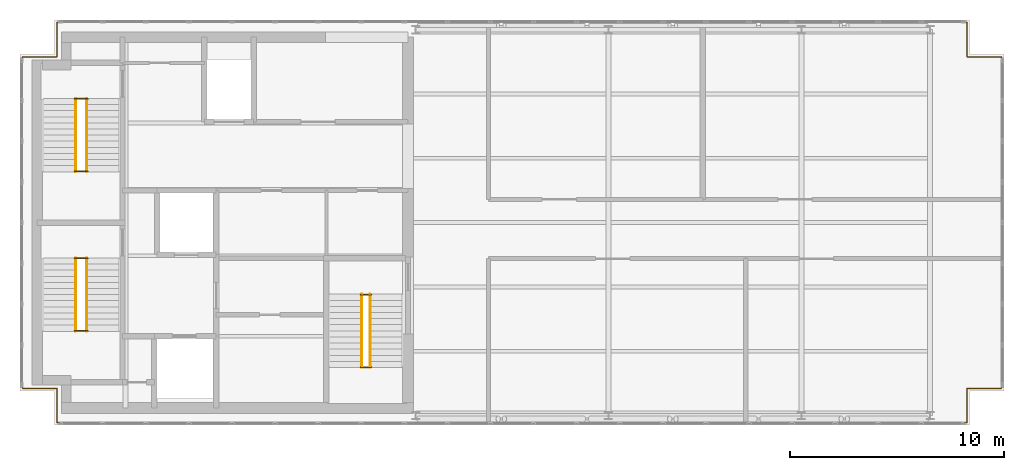
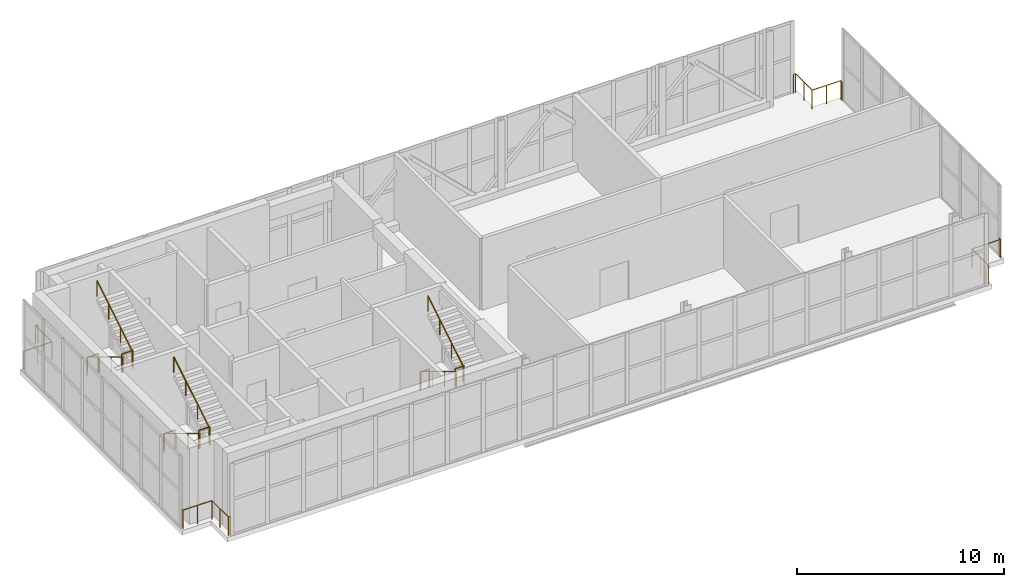
# One storey, part 21 of 21: 16 railings.
"""IFC4 building model written with IfcOpenShell, lengths in metres."""

from ifc_helpers import new_model, si_unit, direction, frame, origin, origin_2d, place, context, subcontext, project, spatial, circle, extrude, material, type_object, element, save


model = new_model("IFC4")

# Units and contexts
model_context = context("Model", 3, precision=1e-05, world=origin(), true_north=direction((0.0, 1.0)))
body_context = subcontext(model_context, "Body", "Model", "MODEL_VIEW")
ifc_project = project(units=[si_unit("LENGTHUNIT", "METRE"), si_unit("AREAUNIT", "SQUARE_METRE"), si_unit("VOLUMEUNIT", "CUBIC_METRE"), si_unit("PLANEANGLEUNIT", "RADIAN"), si_unit("MASSUNIT", "GRAM", prefix="KILO")], contexts=[model_context])

# Site, building, storey
site_placement = place(None, origin())
site = spatial("IfcSite", under=ifc_project, at=site_placement, CompositionType="ELEMENT")
building_placement = place(site_placement, origin())
building = spatial("IfcBuilding", under=site, at=building_placement, Name="Mawjdan Bourse Tower", CompositionType="ELEMENT")
storey_placement = place(building_placement, frame((0.0, 0.0, 317.699951171875)))
storey = spatial("IfcBuildingStorey", under=building, at=storey_placement, Name="L78", CompositionType="ELEMENT", Elevation=317.699951171875)

# Railings
ifc_material_1 = material(Name="Structural Steel S355", Category="steel")
railing_type_1 = type_object("IfcRailingType", Name="RLG-GRD-1100", PredefinedType="GUARDRAIL", material=ifc_material_1)
railing_1_placement = place(storey_placement, frame((49.60009765625, 2.669921875, 0.0)))
element("IfcRailing", 1, at=railing_1_placement, inside=storey, type_object=railing_type_1, Name="L78 Lantern Crown South-East Notch Safety Guardrail", PredefinedType="GUARDRAIL", context=body_context, shape_type="SweptSolid", body=[
    extrude(circle(Radius=0.02490234375, at=origin_2d()), frame((0.0, 0.0, 1.09521484375), z_axis=(1.0, 0.0, 0.0), x_axis=(0.0, 1.0, 0.0)), (0.0, 0.0, 1.0), 0.1298828125),
    extrude(circle(Radius=0.02490234375, at=origin_2d()), frame((0.1298828125, 0.0, 1.09521484375), z_axis=(0.0, 1.0, 0.0), x_axis=(-1.0, 0.0, 0.0)), (0.0, 0.0, 1.0), 1.60009765625),
    extrude(circle(Radius=0.02490234375, at=origin_2d()), frame((0.1298828125, 1.60009765625, 1.09521484375), z_axis=(1.0, 0.0, 0.0), x_axis=(0.0, 1.0, 0.0)), (0.0, 0.0, 1.0), 1.60009765625),
    extrude(circle(Radius=0.02490234375, at=origin_2d()), frame((1.72998046875, 1.60009765625, 1.09521484375), z_axis=(0.0, 1.0, 0.0), x_axis=(-1.0, 0.0, 0.0)), (0.0, 0.0, 1.0), 0.1298828125),
    extrude(circle(Radius=0.02197265625, at=origin_2d()), origin(), (0.0, 0.0, 1.0), 1.070068359375),
    extrude(circle(Radius=0.02197265625, at=origin_2d()), frame((0.1298828125, 0.0, 0.0)), (0.0, 0.0, 1.0), 1.070068359375),
    extrude(circle(Radius=0.02197265625, at=origin_2d()), frame((0.1298828125, 0.800048828125, 0.0)), (0.0, 0.0, 1.0), 1.070068359375),
    extrude(circle(Radius=0.02197265625, at=origin_2d()), frame((0.1298828125, 1.60009765625, 0.0)), (0.0, 0.0, 1.0), 1.070068359375),
    extrude(circle(Radius=0.02197265625, at=origin_2d()), frame((0.929931640625, 1.60009765625, 0.0)), (0.0, 0.0, 1.0), 1.070068359375),
    extrude(circle(Radius=0.02197265625, at=origin_2d()), frame((1.72998046875, 1.60009765625, 0.0)), (0.0, 0.0, 1.0), 1.070068359375),
    extrude(circle(Radius=0.02197265625, at=origin_2d()), frame((1.72998046875, 1.72998046875, 0.0)), (0.0, 0.0, 1.0), 1.070068359375),
])
railing_2_placement = place(storey_placement, frame((51.330078125, 19.60009765625, 0.0)))
element("IfcRailing", 2, at=railing_2_placement, inside=storey, type_object=railing_type_1, Name="L78 Lantern Crown North-East Notch Safety Guardrail", PredefinedType="GUARDRAIL", context=body_context, shape_type="SweptSolid", body=[
    extrude(circle(Radius=0.02490234375, at=origin_2d()), frame((0.0, 0.0, 1.09521484375), z_axis=(0.0, 1.0, 0.0), x_axis=(-1.0, 0.0, 0.0)), (0.0, 0.0, 1.0), 0.1298828125),
    extrude(circle(Radius=0.02490234375, at=origin_2d()), frame((0.0, 0.1298828125, 1.09521484375), z_axis=(-1.0, 0.0, 0.0), x_axis=(0.0, -1.0, 0.0)), (0.0, 0.0, 1.0), 1.60009765625),
    extrude(circle(Radius=0.02490234375, at=origin_2d()), frame((-1.60009765625, 0.1298828125, 1.09521484375), z_axis=(0.0, 1.0, 0.0), x_axis=(-1.0, 0.0, 0.0)), (0.0, 0.0, 1.0), 1.60009765625),
    extrude(circle(Radius=0.02490234375, at=origin_2d()), frame((-1.60009765625, 1.72998046875, 1.09521484375), z_axis=(-1.0, 0.0, 0.0), x_axis=(0.0, -1.0, 0.0)), (0.0, 0.0, 1.0), 0.1298828125),
    extrude(circle(Radius=0.02197265625, at=origin_2d()), origin(), (0.0, 0.0, 1.0), 1.070068359375),
    extrude(circle(Radius=0.02197265625, at=origin_2d()), frame((0.0, 0.1298828125, 0.0)), (0.0, 0.0, 1.0), 1.070068359375),
    extrude(circle(Radius=0.02197265625, at=origin_2d()), frame((-0.800048828125, 0.1298828125, 0.0)), (0.0, 0.0, 1.0), 1.070068359375),
    extrude(circle(Radius=0.02197265625, at=origin_2d()), frame((-1.60009765625, 0.1298828125, 0.0)), (0.0, 0.0, 1.0), 1.070068359375),
    extrude(circle(Radius=0.02197265625, at=origin_2d()), frame((-1.60009765625, 0.929931640625, 0.0)), (0.0, 0.0, 1.0), 1.070068359375),
    extrude(circle(Radius=0.02197265625, at=origin_2d()), frame((-1.60009765625, 1.72998046875, 0.0)), (0.0, 0.0, 1.0), 1.070068359375),
    extrude(circle(Radius=0.02197265625, at=origin_2d()), frame((-1.72998046875, 1.72998046875, 0.0)), (0.0, 0.0, 1.0), 1.070068359375),
])
railing_3_placement = place(storey_placement, frame((7.39990234375, 21.330078125, 0.0)))
element("IfcRailing", 3, at=railing_3_placement, inside=storey, type_object=railing_type_1, Name="L78 Lantern Crown North-West Notch Safety Guardrail", PredefinedType="GUARDRAIL", context=body_context, shape_type="SweptSolid", body=[
    extrude(circle(Radius=0.02490234375, at=origin_2d()), frame((0.0, 0.0, 1.09521484375), z_axis=(-1.0, 0.0, 0.0), x_axis=(0.0, -1.0, 0.0)), (0.0, 0.0, 1.0), 0.1298828125),
    extrude(circle(Radius=0.02490234375, at=origin_2d()), frame((-0.1298828125, 0.0, 1.09521484375), z_axis=(0.0, -1.0, 0.0), x_axis=(1.0, 0.0, 0.0)), (0.0, 0.0, 1.0), 1.60009765625),
    extrude(circle(Radius=0.02490234375, at=origin_2d()), frame((-0.1298828125, -1.60009765625, 1.09521484375), z_axis=(-1.0, 0.0, 0.0), x_axis=(0.0, -1.0, 0.0)), (0.0, 0.0, 1.0), 1.60009765625),
    extrude(circle(Radius=0.02490234375, at=origin_2d()), frame((-1.72998046875, -1.60009765625, 1.09521484375), z_axis=(0.0, -1.0, 0.0), x_axis=(1.0, 0.0, 0.0)), (0.0, 0.0, 1.0), 0.1298828125),
    extrude(circle(Radius=0.02197265625, at=origin_2d()), origin(), (0.0, 0.0, 1.0), 1.070068359375),
    extrude(circle(Radius=0.02197265625, at=origin_2d()), frame((-0.1298828125, 0.0, 0.0)), (0.0, 0.0, 1.0), 1.070068359375),
    extrude(circle(Radius=0.02197265625, at=origin_2d()), frame((-0.1298828125, -0.800048828125, 0.0)), (0.0, 0.0, 1.0), 1.070068359375),
    extrude(circle(Radius=0.02197265625, at=origin_2d()), frame((-0.1298828125, -1.60009765625, 0.0)), (0.0, 0.0, 1.0), 1.070068359375),
    extrude(circle(Radius=0.02197265625, at=origin_2d()), frame((-0.929931640625, -1.60009765625, 0.0)), (0.0, 0.0, 1.0), 1.070068359375),
    extrude(circle(Radius=0.02197265625, at=origin_2d()), frame((-1.72998046875, -1.60009765625, 0.0)), (0.0, 0.0, 1.0), 1.070068359375),
    extrude(circle(Radius=0.02197265625, at=origin_2d()), frame((-1.72998046875, -1.72998046875, 0.0)), (0.0, 0.0, 1.0), 1.070068359375),
])
railing_4_placement = place(storey_placement, frame((5.669921875, 4.39990234375, 0.0)))
element("IfcRailing", 4, at=railing_4_placement, inside=storey, type_object=railing_type_1, Name="L78 Lantern Crown South-West Notch Safety Guardrail", PredefinedType="GUARDRAIL", context=body_context, shape_type="SweptSolid", body=[
    extrude(circle(Radius=0.02490234375, at=origin_2d()), frame((0.0, 0.0, 1.09521484375), z_axis=(0.0, -1.0, 0.0), x_axis=(1.0, 0.0, 0.0)), (0.0, 0.0, 1.0), 0.1298828125),
    extrude(circle(Radius=0.02490234375, at=origin_2d()), frame((0.0, -0.1298828125, 1.09521484375), z_axis=(1.0, 0.0, 0.0), x_axis=(0.0, 1.0, 0.0)), (0.0, 0.0, 1.0), 1.60009765625),
    extrude(circle(Radius=0.02490234375, at=origin_2d()), frame((1.60009765625, -0.1298828125, 1.09521484375), z_axis=(0.0, -1.0, 0.0), x_axis=(1.0, 0.0, 0.0)), (0.0, 0.0, 1.0), 1.60009765625),
    extrude(circle(Radius=0.02490234375, at=origin_2d()), frame((1.60009765625, -1.72998046875, 1.09521484375), z_axis=(1.0, 0.0, 0.0), x_axis=(0.0, 1.0, 0.0)), (0.0, 0.0, 1.0), 0.1298828125),
    extrude(circle(Radius=0.02197265625, at=origin_2d()), origin(), (0.0, 0.0, 1.0), 1.070068359375),
    extrude(circle(Radius=0.02197265625, at=origin_2d()), frame((0.0, -0.1298828125, 0.0)), (0.0, 0.0, 1.0), 1.070068359375),
    extrude(circle(Radius=0.02197265625, at=origin_2d()), frame((0.800048828125, -0.1298828125, 0.0)), (0.0, 0.0, 1.0), 1.070068359375),
    extrude(circle(Radius=0.02197265625, at=origin_2d()), frame((1.60009765625, -0.1298828125, 0.0)), (0.0, 0.0, 1.0), 1.070068359375),
    extrude(circle(Radius=0.02197265625, at=origin_2d()), frame((1.60009765625, -0.929931640625, 0.0)), (0.0, 0.0, 1.0), 1.070068359375),
    extrude(circle(Radius=0.02197265625, at=origin_2d()), frame((1.60009765625, -1.72998046875, 0.0)), (0.0, 0.0, 1.0), 1.070068359375),
    extrude(circle(Radius=0.02197265625, at=origin_2d()), frame((1.72998046875, -1.72998046875, 0.0)), (0.0, 0.0, 1.0), 1.070068359375),
])
for number, where, name in (
    (5, (8.090087890625, 6.949951171875, 2.25), "L78 ST1 Landing Guardrail GL-MID"),
    (6, (8.090087890625, 10.330078125, 0.0), "L78 ST1 Landing Guardrail GL-BOT"),
    (7, (8.090087890625, 14.389892578125, 2.25), "L78 ST2 Landing Guardrail GL-MID"),
    (8, (8.090087890625, 17.77001953125, 0.0), "L78 ST2 Landing Guardrail GL-BOT"),
):
    element("IfcRailing", number, at=place(storey_placement, frame(where)), inside=storey, type_object=railing_type_1, Name=name, PredefinedType="GUARDRAIL", context=body_context, shape_type="SweptSolid", body=[
        extrude(circle(Radius=0.02490234375, at=origin_2d()), frame((0.0, 0.0, 1.0751953125), z_axis=(1.0, 0.0, 0.0), x_axis=(0.0, 1.0, 0.0)), (0.0, 0.0, 1.0), 0.619873046875),
        extrude(circle(Radius=0.02099609375, at=origin_2d()), origin(), (0.0, 0.0, 1.0), 1.050048828125),
        extrude(circle(Radius=0.02099609375, at=origin_2d()), frame((0.619873046875, 0.0, 0.0)), (0.0, 0.0, 1.0), 1.050048828125),
    ])
for number, where, name in (
    (9, (21.43994140625, 5.260009765625, 2.25), "L78 ST7 Landing Guardrail GL-MID"),
    (10, (21.43994140625, 8.639892578125, 0.0), "L78 ST7 Landing Guardrail GL-BOT"),
):
    element("IfcRailing", number, at=place(storey_placement, frame(where)), inside=storey, type_object=railing_type_1, Name=name, PredefinedType="GUARDRAIL", context=body_context, shape_type="SweptSolid", body=[
        extrude(circle(Radius=0.02490234375, at=origin_2d()), frame((0.0, 0.0, 1.0751953125), z_axis=(1.0, 0.0, 0.0), x_axis=(0.0, 1.0, 0.0)), (0.0, 0.0, 1.0), 0.489990234375),
        extrude(circle(Radius=0.02099609375, at=origin_2d()), origin(), (0.0, 0.0, 1.0), 1.050048828125),
        extrude(circle(Radius=0.02099609375, at=origin_2d()), frame((0.489990234375, 0.0, 0.0)), (0.0, 0.0, 1.0), 1.050048828125),
    ])
ifc_material_2 = material(Name="Brushed Stainless Steel", Category="steel")
railing_type_2 = type_object("IfcRailingType", Name="RLG-HND-920", PredefinedType="HANDRAIL", material=ifc_material_2)
railing_5_placement = place(storey_placement, frame((8.139892578125, 10.35009765625, 0.173095703125)))
element("IfcRailing", 11, at=railing_5_placement, inside=storey, type_object=railing_type_2, Name="L78 ST1 Flight Handrail HR1", PredefinedType="HANDRAIL", context=body_context, shape_type="SweptSolid", body=[
    extrude(circle(Radius=0.0224609375, at=origin_2d()), frame((0.0, 0.0, 0.8974609375), z_axis=(0.0, -0.854745945586, 0.519046595696), x_axis=(1.0, 0.0, 0.0)), (0.0, 0.0, 1.0), 4.00146484375),
    extrude(circle(Radius=0.01904296875, at=origin_2d()), origin(), (0.0, 0.0, 1.0), 0.875),
    extrude(circle(Radius=0.01904296875, at=origin_2d()), frame((0.0, -1.14013671875, 0.6923828125)), (0.0, 0.0, 1.0), 0.875),
    extrude(circle(Radius=0.01904296875, at=origin_2d()), frame((0.0, -2.280029296875, 1.384521484375)), (0.0, 0.0, 1.0), 0.875),
    extrude(circle(Radius=0.01904296875, at=origin_2d()), frame((0.0, -3.420166015625, 2.076904296875)), (0.0, 0.0, 1.0), 0.875),
])
railing_6_placement = place(storey_placement, frame((8.659912109375, 6.929931640625, 2.423095703125)))
element("IfcRailing", 12, at=railing_6_placement, inside=storey, type_object=railing_type_2, Name="L78 ST1 Flight Handrail HR2", PredefinedType="HANDRAIL", context=body_context, shape_type="SweptSolid", body=[
    extrude(circle(Radius=0.0224609375, at=origin_2d()), frame((0.0, 0.0, 0.8974609375), z_axis=(0.0, 0.854745945586, 0.519046595696), x_axis=(-1.0, 0.0, 0.0)), (0.0, 0.0, 1.0), 4.00146484375),
    extrude(circle(Radius=0.01904296875, at=origin_2d()), origin(), (0.0, 0.0, 1.0), 0.875),
    extrude(circle(Radius=0.01904296875, at=origin_2d()), frame((0.0, 1.14013671875, 0.6923828125)), (0.0, 0.0, 1.0), 0.875),
    extrude(circle(Radius=0.01904296875, at=origin_2d()), frame((0.0, 2.280029296875, 1.384521484375)), (0.0, 0.0, 1.0), 0.875),
    extrude(circle(Radius=0.01904296875, at=origin_2d()), frame((0.0, 3.420166015625, 2.076904296875)), (0.0, 0.0, 1.0), 0.875),
])
railing_7_placement = place(storey_placement, frame((8.139892578125, 17.7900390625, 0.173095703125)))
element("IfcRailing", 13, at=railing_7_placement, inside=storey, type_object=railing_type_2, Name="L78 ST2 Flight Handrail HR1", PredefinedType="HANDRAIL", context=body_context, shape_type="SweptSolid", body=[
    extrude(circle(Radius=0.0224609375, at=origin_2d()), frame((0.0, 0.0, 0.8974609375), z_axis=(0.0, -0.854729506542, 0.519073665916), x_axis=(1.0, 0.0, 0.0)), (0.0, 0.0, 1.0), 4.001220703125),
    extrude(circle(Radius=0.01904296875, at=origin_2d()), origin(), (0.0, 0.0, 1.0), 0.875),
    extrude(circle(Radius=0.01904296875, at=origin_2d()), frame((0.0, -1.139892578125, 0.6923828125)), (0.0, 0.0, 1.0), 0.875),
    extrude(circle(Radius=0.01904296875, at=origin_2d()), frame((0.0, -2.280029296875, 1.384521484375)), (0.0, 0.0, 1.0), 0.875),
    extrude(circle(Radius=0.01904296875, at=origin_2d()), frame((0.0, -3.419921875, 2.076904296875)), (0.0, 0.0, 1.0), 0.875),
])
railing_8_placement = place(storey_placement, frame((8.659912109375, 14.3701171875, 2.423095703125)))
element("IfcRailing", 14, at=railing_8_placement, inside=storey, type_object=railing_type_2, Name="L78 ST2 Flight Handrail HR2", PredefinedType="HANDRAIL", context=body_context, shape_type="SweptSolid", body=[
    extrude(circle(Radius=0.0224609375, at=origin_2d()), frame((0.0, 0.0, 0.8974609375), z_axis=(0.0, 0.854729506542, 0.519073665916), x_axis=(-1.0, 0.0, 0.0)), (0.0, 0.0, 1.0), 4.001220703125),
    extrude(circle(Radius=0.01904296875, at=origin_2d()), origin(), (0.0, 0.0, 1.0), 0.875),
    extrude(circle(Radius=0.01904296875, at=origin_2d()), frame((0.0, 1.139892578125, 0.6923828125)), (0.0, 0.0, 1.0), 0.875),
    extrude(circle(Radius=0.01904296875, at=origin_2d()), frame((0.0, 2.280029296875, 1.384521484375)), (0.0, 0.0, 1.0), 0.875),
    extrude(circle(Radius=0.01904296875, at=origin_2d()), frame((0.0, 3.419921875, 2.076904296875)), (0.0, 0.0, 1.0), 0.875),
])
railing_9_placement = place(storey_placement, frame((21.489990234375, 8.659912109375, 0.173095703125)))
element("IfcRailing", 15, at=railing_9_placement, inside=storey, type_object=railing_type_2, Name="L78 ST7 Flight Handrail HR1", PredefinedType="HANDRAIL", context=body_context, shape_type="SweptSolid", body=[
    extrude(circle(Radius=0.0224609375, at=origin_2d()), frame((0.0, 0.0, 0.8974609375), z_axis=(0.0, -0.854729506542, 0.519073665916), x_axis=(1.0, 0.0, 0.0)), (0.0, 0.0, 1.0), 4.001220703125),
    extrude(circle(Radius=0.01904296875, at=origin_2d()), origin(), (0.0, 0.0, 1.0), 0.875),
    extrude(circle(Radius=0.01904296875, at=origin_2d()), frame((0.0, -1.139892578125, 0.6923828125)), (0.0, 0.0, 1.0), 0.875),
    extrude(circle(Radius=0.01904296875, at=origin_2d()), frame((0.0, -2.280029296875, 1.384521484375)), (0.0, 0.0, 1.0), 0.875),
    extrude(circle(Radius=0.01904296875, at=origin_2d()), frame((0.0, -3.419921875, 2.076904296875)), (0.0, 0.0, 1.0), 0.875),
])
railing_10_placement = place(storey_placement, frame((21.8798828125, 5.239990234375, 2.423095703125)))
element("IfcRailing", 16, at=railing_10_placement, inside=storey, type_object=railing_type_2, Name="L78 ST7 Flight Handrail HR2", PredefinedType="HANDRAIL", context=body_context, shape_type="SweptSolid", body=[
    extrude(circle(Radius=0.0224609375, at=origin_2d()), frame((0.0, 0.0, 0.8974609375), z_axis=(0.0, 0.854729506542, 0.519073665916), x_axis=(-1.0, 0.0, 0.0)), (0.0, 0.0, 1.0), 4.001220703125),
    extrude(circle(Radius=0.01904296875, at=origin_2d()), origin(), (0.0, 0.0, 1.0), 0.875),
    extrude(circle(Radius=0.01904296875, at=origin_2d()), frame((0.0, 1.139892578125, 0.6923828125)), (0.0, 0.0, 1.0), 0.875),
    extrude(circle(Radius=0.01904296875, at=origin_2d()), frame((0.0, 2.280029296875, 1.384521484375)), (0.0, 0.0, 1.0), 0.875),
    extrude(circle(Radius=0.01904296875, at=origin_2d()), frame((0.0, 3.419921875, 2.076904296875)), (0.0, 0.0, 1.0), 0.875),
])

save(model, "model.ifc")
